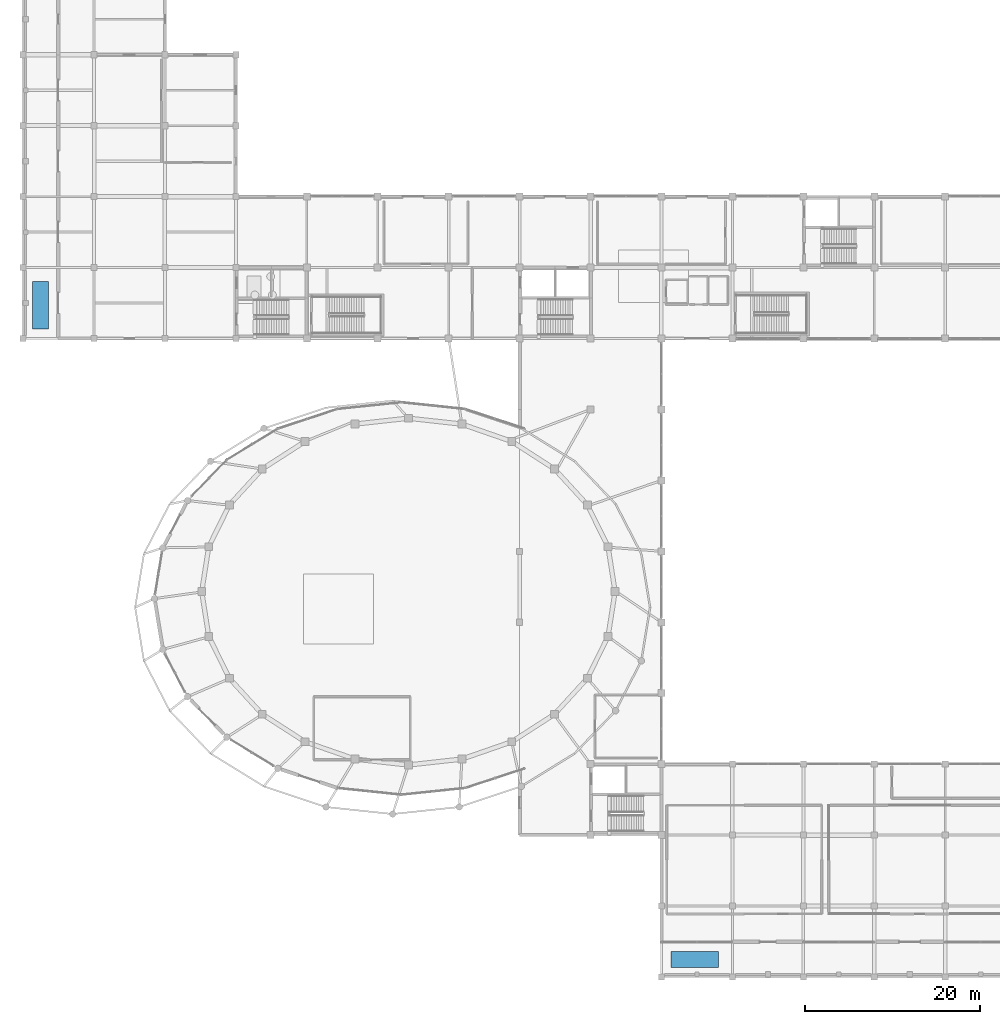
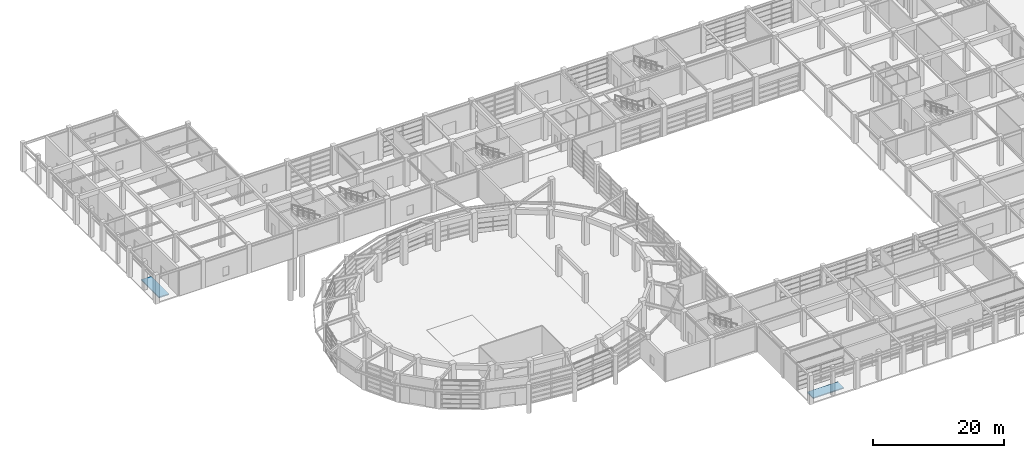
# One storey, part 44 of 52: 2 ramp flights, 2 elements without a shape of their own.
"""IFC4 building model written with IfcOpenShell, lengths in metres."""

from ifc_helpers import new_model, si_unit, direction, frame, origin, place, context, subcontext, project, spatial, polyline, outline, extrude, material, layer, layer_set, type_object, element, aggregate, save


model = new_model("IFC4")

# Units and contexts
model_context = context("Model", 3, precision=1e-05, world=origin(), true_north=direction((0.0, 1.0)))
body_context = subcontext(model_context, "Body", "Model", "MODEL_VIEW")
ifc_project = project(units=[si_unit("LENGTHUNIT", "METRE"), si_unit("AREAUNIT", "SQUARE_METRE"), si_unit("VOLUMEUNIT", "CUBIC_METRE"), si_unit("PLANEANGLEUNIT", "RADIAN"), si_unit("MASSUNIT", "GRAM", prefix="KILO")], contexts=[model_context])

# Site, building, storey
site_placement = place(None, origin())
site = spatial("IfcSite", under=ifc_project, at=site_placement, CompositionType="ELEMENT")
building_placement = place(site_placement, origin())
building = spatial("IfcBuilding", under=site, at=building_placement, Name="Parian Resonance Hall", CompositionType="ELEMENT")
storey_placement = place(building_placement, origin())
storey = spatial("IfcBuildingStorey", under=building, at=storey_placement, Name="L00", CompositionType="ELEMENT", Elevation=0.0)

# Ramp, ramp flight
ifc_material_1 = material(Name="Concrete C35/45", Category="concrete")
ramp_type = type_object("IfcRampType", Name="RAMP-ACC", PredefinedType="STRAIGHT_RUN_RAMP", material=ifc_material_1)
ramp_1_placement = place(storey_placement, origin())
ramp_1 = element("IfcRamp", 1, at=ramp_1_placement, inside=storey, type_object=ramp_type, Name="West arcade BP 344 threshold ramp", PredefinedType="STRAIGHT_RUN_RAMP")
ifc_material_2 = material(Name="Concrete C35/45", Category="concrete")
ifc_layer = layer(ifc_material_2, 0.199951171875)
ifc_layer_set = layer_set([ifc_layer], Name="Concrete C35/45")
ramp_flight_type = type_object("IfcRampFlightType", Name="RAMPFL-ACC-200", PredefinedType="STRAIGHT", material=ifc_layer_set)
ramp_flight_1_placement = place(storey_placement, frame((1.10009765625, 74.0, -0.02001953125), z_axis=(0.0, -0.00370736217, 0.999993127709), x_axis=(1.0, 0.0, 0.0)))
ramp_flight_1 = element("IfcRampFlight", 2, at=ramp_flight_1_placement, type_object=ramp_flight_type, Name="West arcade BP 344 threshold ramp flight", PredefinedType="STRAIGHT", context=body_context, shape_type="SweptSolid", body=[
    extrude(outline(polyline([(0.0, 0.0), (1.7998046875, 0.0), (1.7998046875, 5.399939453703922), (0.0, 5.399939453703922), (0.0, 0.0)])), origin(), (0.0, 0.0, -1.0), 0.199951171875),
])
aggregate(ramp_1, [ramp_flight_1])

ramp_2_placement = place(storey_placement, origin())
ramp_2 = element("IfcRamp", 3, at=ramp_2_placement, inside=storey, type_object=ramp_type, Name="South colonnade BP 344 threshold ramp", PredefinedType="STRAIGHT_RUN_RAMP")
ramp_flight_2_placement = place(storey_placement, frame((74.0, 1.10009765625, -0.02001953125), z_axis=(0.0, -0.011122480704, 0.999938143298), x_axis=(1.0, 0.0, 0.0)))
ramp_flight_2 = element("IfcRampFlight", 4, at=ramp_flight_2_placement, type_object=ramp_flight_type, Name="South colonnade BP 344 threshold ramp flight", PredefinedType="STRAIGHT", context=body_context, shape_type="SweptSolid", body=[
    extrude(outline(polyline([(0.0, 0.0), (5.39990234375, 0.0), (5.39990234375, 1.7999160243684822), (0.0, 1.7999160243684822), (0.0, 0.0)])), origin(), (0.0, 0.0, -1.0), 0.199951171875),
])
aggregate(ramp_2, [ramp_flight_2])

save(model, "model.ifc")
